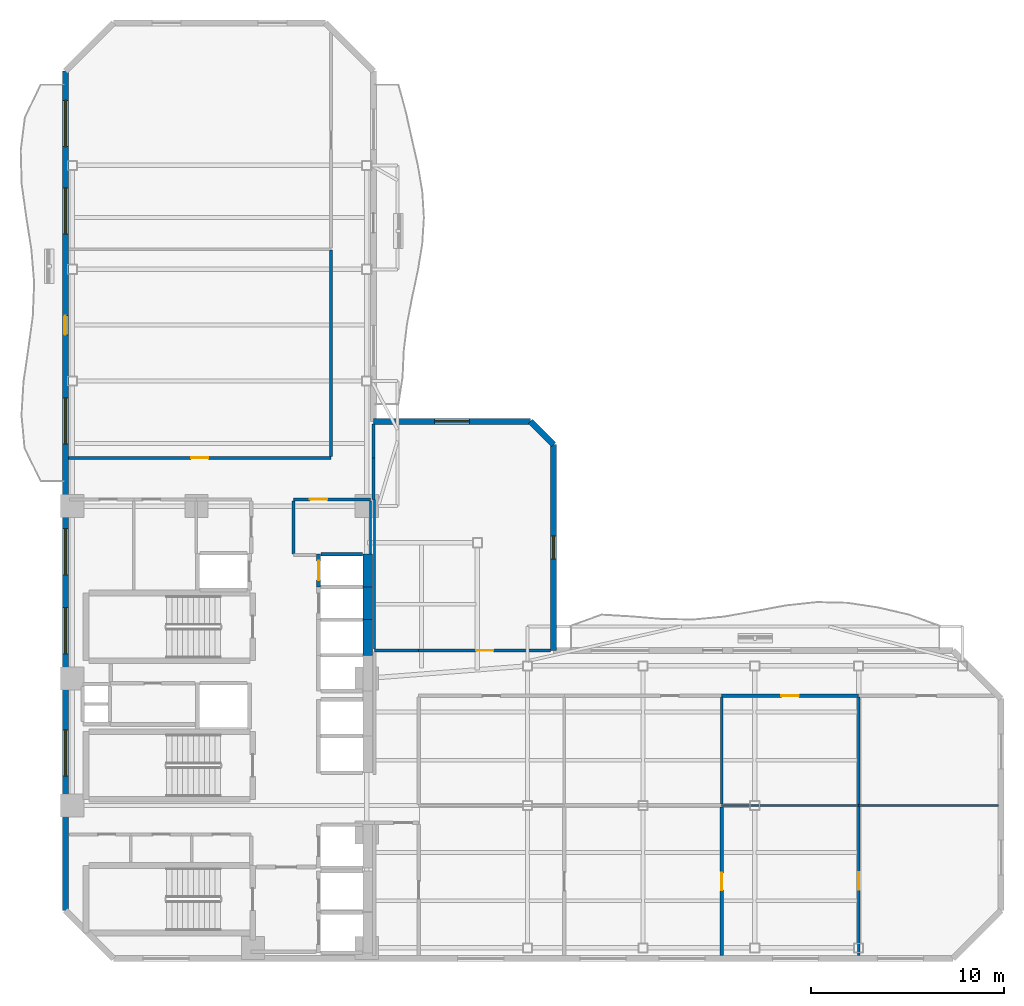
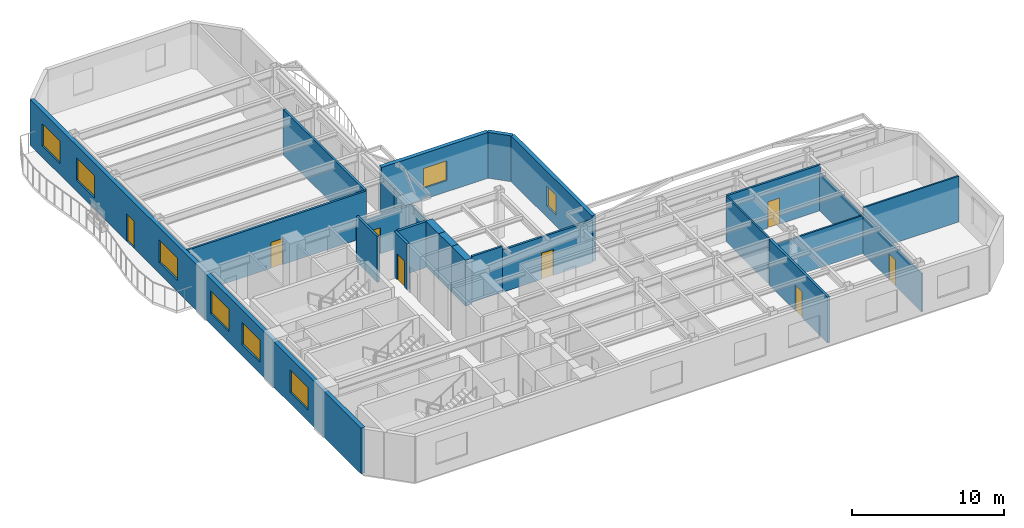
# One storey, part 5 of 9: 26 walls, 8 doors, 8 windows, 16 openings.
"""IFC4 building model written with IfcOpenShell, lengths in metres."""

from ifc_helpers import new_model, si_unit, direction, frame, frame_2d, origin, place, context, subcontext, project, spatial, rectangle, extrude, material, layer, layer_set, type_object, element, fill, save


model = new_model("IFC4")

# Units and contexts
model_context = context("Model", 3, precision=1e-05, world=origin(), true_north=direction((0.0, 1.0)))
body_context = subcontext(model_context, "Body", "Model", "MODEL_VIEW")
ifc_project = project(units=[si_unit("LENGTHUNIT", "METRE"), si_unit("AREAUNIT", "SQUARE_METRE"), si_unit("VOLUMEUNIT", "CUBIC_METRE"), si_unit("PLANEANGLEUNIT", "RADIAN"), si_unit("MASSUNIT", "GRAM", prefix="KILO")], contexts=[model_context])

# Site, building, storey
site_placement = place(None, origin())
site = spatial("IfcSite", under=ifc_project, at=site_placement, CompositionType="ELEMENT")
building_placement = place(site_placement, origin())
building = spatial("IfcBuilding", under=site, at=building_placement, Name="Mawjaban Terraces University", CompositionType="ELEMENT")
storey_placement = place(building_placement, frame((0.0, 0.0, 130.699951171875)))
storey = spatial("IfcBuildingStorey", under=building, at=storey_placement, Name="L31", CompositionType="ELEMENT", Elevation=130.699951171875)

# Wall, opening, door
ifc_material_1 = material(Name="Acoustic masonry blockwork", Category="masonry")
ifc_layer_1 = layer(ifc_material_1, 0.179931640625)
ifc_layer_set_1 = layer_set([ifc_layer_1], Name="Acoustic masonry blockwork")
wall_type_1 = type_object("IfcWallType", Name="AcousticStudioWall_180", PredefinedType="PARTITIONING", material=ifc_layer_set_1)
wall_1_placement = place(storey_placement, frame((56.080078125, 0.14501953125, 0.0), z_axis=(0.0, 0.0, 1.0), x_axis=(0.0, 1.0, 0.0)))
wall_1 = element("IfcWall", 1, at=wall_1_placement, inside=storey, type_object=wall_type_1, Name="L31 Media Workshop 4 Partition 46", PredefinedType="PARTITIONING", context=body_context, shape_type="SweptSolid", body=[
    extrude(rectangle(XDim=7.719970703125, YDim=0.179931640625, at=frame_2d((3.85986328125, 0.0))), origin(), (0.0, 0.0, 1.0), 3.68994140625),
])
opening_1_placement = place(wall_1_placement, frame((3.409912109375, 0.0, 0.0)))
opening_1 = element("IfcOpeningElement", 2, at=opening_1_placement, cuts=wall_1, Name="Opening ID-090", PredefinedType="OPENING", context=body_context, shape_type="SweptSolid", body=[
    extrude(rectangle(XDim=0.89990234375, YDim=2.10009765625, at=frame_2d((0.449951171875, 1.050048828125))), frame((0.0, 0.099853515625, 0.0), z_axis=(0.0, -1.0, 0.0), x_axis=(1.0, 0.0, 0.0)), (0.0, 0.0, 1.0), 0.199951171875),
])
ifc_material_2 = material(Name="Powder-coated steel frame and solid acoustic timber leaf", Category="steel")
door_type_1 = type_object("IfcDoorType", Name="OfficeDoor_900x2100", OperationType="NOTDEFINED", PredefinedType="DOOR", material=ifc_material_2)
door_1_placement = place(opening_1_placement, origin())
door_1 = element("IfcDoor", 3, at=door_1_placement, inside=storey, type_object=door_type_1, Name="L31 Reading Salon 6 Door", OperationType="SINGLE_SWING_RIGHT", OverallHeight=2.10009765625, OverallWidth=0.89990234375, PredefinedType="DOOR", context=body_context, shape_type="SweptSolid", body=[
    extrude(rectangle(XDim=0.89990234375, YDim=2.10009765625, at=frame_2d((0.449951171875, 1.050048828125))), frame((0.0, 0.02490234375, 0.0), z_axis=(0.0, -1.0, 0.0), x_axis=(1.0, 0.0, 0.0)), (0.0, 0.0, 1.0), 0.050048828125),
])
fill(opening_1, door_1)

# Walls
ifc_material_3 = material(Name="Concrete C60/75", Category="concrete")
ifc_layer_2 = layer(ifc_material_3, 0.5)
ifc_layer_set_2 = layer_set([ifc_layer_2], Name="Concrete C60/75")
wall_type_2 = type_object("IfcWallType", Name="CoreShearWall_500", PredefinedType="SHEAR", material=ifc_layer_set_2)
wall_2_placement = place(storey_placement, frame((37.699951171875, 15.75, 0.0), z_axis=(0.0, 0.0, 1.0), x_axis=(0.0, 1.0, 0.0)))
element("IfcWall", 4, at=wall_2_placement, inside=storey, type_object=wall_type_2, Name="L31 Lift OL-2 Hoistway Wall East", PredefinedType="SHEAR", context=body_context, shape_type="SweptSolid", body=[
    extrude(rectangle(XDim=1.85009765625, YDim=0.5, at=frame_2d((0.925048828125, 0.0))), origin(), (0.0, 0.0, 1.0), 3.68994140625),
])
for number, where, z_axis, x_axis, name in (
    (5, (37.699951171875, 17.60009765625, 0.0), (0.0, 0.0, 1.0), (0.0, 1.0, 0.0), "L31 Lift PL-M1 Hoistway Wall East"),
    (6, (37.699951171875, 19.300048828125, 0.0), (0.0, 0.0, 1.0), (0.0, 1.0, 0.0), "L31 Lift PL-M2 Hoistway Wall East"),
):
    element("IfcWall", number, at=place(storey_placement, frame(where, z_axis=z_axis, x_axis=x_axis)), inside=storey, type_object=wall_type_2, Name=name, PredefinedType="SHEAR", context=body_context, shape_type="SweptSolid", body=[
        extrude(rectangle(XDim=1.699951171875, YDim=0.5, at=frame_2d((0.85009765625, 0.0))), origin(), (0.0, 0.0, 1.0), 3.68994140625),
    ])

# Wall, opening, door
ifc_material_4 = material(Name="Fire-rated gypsum board on steel stud", Category="steel")
ifc_layer_3 = layer(ifc_material_4, 0.159912109375)
ifc_layer_set_3 = layer_set([ifc_layer_3], Name="Fire-rated gypsum board on steel stud")
wall_type_3 = type_object("IfcWallType", Name="CorridorPartition_160", PredefinedType="PARTITIONING", material=ifc_layer_set_3)
wall_3_placement = place(storey_placement, frame((35.800048828125, 26.0, 0.0), z_axis=(0.0, 0.0, 1.0), x_axis=(-1.0, 0.0, 0.0)))
wall_3 = element("IfcWall", 7, at=wall_3_placement, inside=storey, type_object=wall_type_3, Name="L31 North Core Cross-Corridor Partition 12", PredefinedType="PARTITIONING", context=body_context, shape_type="SweptSolid", body=[
    extrude(rectangle(XDim=13.655029296875, YDim=0.159912109375, at=frame_2d((6.82763671875, 0.0))), origin(), (0.0, 0.0, 1.0), 3.68994140625),
])
opening_2_placement = place(wall_3_placement, frame((6.376953125, 0.0, 0.0)))
opening_2 = element("IfcOpeningElement", 8, at=opening_2_placement, cuts=wall_3, Name="Opening ID-090", PredefinedType="OPENING", context=body_context, shape_type="SweptSolid", body=[
    extrude(rectangle(XDim=0.89990234375, YDim=2.10009765625, at=frame_2d((0.449951171875, 1.050048828125))), frame((0.0, 0.08984375, 0.0), z_axis=(0.0, -1.0, 0.0), x_axis=(1.0, 0.0, 0.0)), (0.0, 0.0, 1.0), 0.179931640625),
])
door_2_placement = place(opening_2_placement, origin())
door_2 = element("IfcDoor", 9, at=door_2_placement, inside=storey, type_object=door_type_1, Name="L31 Seminar Room 10 Door", OperationType="SINGLE_SWING_RIGHT", OverallHeight=2.10009765625, OverallWidth=0.89990234375, PredefinedType="DOOR", context=body_context, shape_type="SweptSolid", body=[
    extrude(rectangle(XDim=0.89990234375, YDim=2.10009765625, at=frame_2d((0.449951171875, 1.050048828125))), frame((0.0, 0.02490234375, 0.0), z_axis=(0.0, -1.0, 0.0), x_axis=(1.0, 0.0, 0.0)), (0.0, 0.0, 1.0), 0.050048828125),
])
fill(opening_2, door_2)

wall_4_placement = place(storey_placement, frame((37.85009765625, 23.85009765625, 0.0), z_axis=(0.0, 0.0, 1.0), x_axis=(-1.0, 0.0, 0.0)))
wall_4 = element("IfcWall", 10, at=wall_4_placement, inside=storey, type_object=wall_type_3, Name="L31 Departmental Resource Seminar Room Partition 14", PredefinedType="PARTITIONING", context=body_context, shape_type="SweptSolid", body=[
    extrude(rectangle(XDim=4.0, YDim=0.159912109375, at=frame_2d((2.0, 0.0))), origin(), (0.0, 0.0, 1.0), 3.072998046875),
])
opening_3_placement = place(wall_4_placement, frame((2.25, 0.0, 0.0)))
opening_3 = element("IfcOpeningElement", 11, at=opening_3_placement, cuts=wall_4, Name="Opening ID-090", PredefinedType="OPENING", context=body_context, shape_type="SweptSolid", body=[
    extrude(rectangle(XDim=0.89990234375, YDim=2.10009765625, at=frame_2d((0.449951171875, 1.050048828125))), frame((0.0, 0.08984375, 0.0), z_axis=(0.0, -1.0, 0.0), x_axis=(1.0, 0.0, 0.0)), (0.0, 0.0, 1.0), 0.179931640625),
])
door_3_placement = place(opening_3_placement, origin())
door_3 = element("IfcDoor", 12, at=door_3_placement, inside=storey, type_object=door_type_1, Name="L31 Departmental Resource Seminar Room Door", OperationType="SINGLE_SWING_LEFT", OverallHeight=2.10009765625, OverallWidth=0.89990234375, PredefinedType="DOOR", context=body_context, shape_type="SweptSolid", body=[
    extrude(rectangle(XDim=0.89990234375, YDim=2.10009765625, at=frame_2d((0.449951171875, 1.050048828125))), frame((0.0, 0.02490234375, 0.0), z_axis=(0.0, -1.0, 0.0), x_axis=(1.0, 0.0, 0.0)), (0.0, 0.0, 1.0), 0.050048828125),
])
fill(opening_3, door_3)

# Wall
wall_5_placement = place(storey_placement, frame((40.35009765625, 16.0, 0.0), z_axis=(0.0, 0.0, 1.0), x_axis=(-1.0, 0.0, 0.0)))
element("IfcWall", 13, at=wall_5_placement, inside=storey, type_object=wall_type_3, Name="L31 Inner Gallery Link Corridor Partition 17", PredefinedType="PARTITIONING", context=body_context, shape_type="SweptSolid", body=[
    extrude(rectangle(XDim=2.300048828125, YDim=0.159912109375, at=frame_2d((1.14990234375, 0.0))), origin(), (0.0, 0.0, 1.0), 3.68994140625),
])

# Wall, opening, door
wall_6_placement = place(storey_placement, frame((40.35009765625, 16.0, 0.0), z_axis=(0.0, 0.0, 1.0), x_axis=(1.0, 0.0, 0.0)))
wall_6 = element("IfcWall", 14, at=wall_6_placement, inside=storey, type_object=wall_type_3, Name="L31 Terrace Collaborative Study Room Partition 18", PredefinedType="PARTITIONING", context=body_context, shape_type="SweptSolid", body=[
    extrude(rectangle(XDim=6.85595703125, YDim=0.159912109375, at=frame_2d((3.427978515625, 0.0))), origin(), (0.0, 0.0, 1.0), 3.39013671875),
])
opening_4_placement = place(wall_6_placement, frame((2.97802734375, 0.0, 0.0)))
opening_4 = element("IfcOpeningElement", 15, at=opening_4_placement, cuts=wall_6, Name="Opening ID-090", PredefinedType="OPENING", context=body_context, shape_type="SweptSolid", body=[
    extrude(rectangle(XDim=0.89990234375, YDim=2.10009765625, at=frame_2d((0.449951171875, 1.050048828125))), frame((0.0, 0.08984375, 0.0), z_axis=(0.0, -1.0, 0.0), x_axis=(1.0, 0.0, 0.0)), (0.0, 0.0, 1.0), 0.179931640625),
])
door_4_placement = place(opening_4_placement, origin())
door_4 = element("IfcDoor", 16, at=door_4_placement, inside=storey, type_object=door_type_1, Name="L31 Terrace Collaborative Study Room Door", OperationType="SINGLE_SWING_RIGHT", OverallHeight=2.10009765625, OverallWidth=0.89990234375, PredefinedType="DOOR", context=body_context, shape_type="SweptSolid", body=[
    extrude(rectangle(XDim=0.89990234375, YDim=2.10009765625, at=frame_2d((0.449951171875, 1.050048828125))), frame((0.0, 0.02490234375, 0.0), z_axis=(0.0, -1.0, 0.0), x_axis=(1.0, 0.0, 0.0)), (0.0, 0.0, 1.0), 0.050048828125),
])
fill(opening_4, door_4)

wall_7_placement = place(storey_placement, frame((56.080078125, 13.64990234375, 0.0), z_axis=(0.0, 0.0, 1.0), x_axis=(1.0, 0.0, 0.0)))
wall_7 = element("IfcWall", 17, at=wall_7_placement, inside=storey, type_object=wall_type_3, Name="L31 Inner Terrace Gallery Corridor East Partition 22", PredefinedType="PARTITIONING", context=body_context, shape_type="SweptSolid", body=[
    extrude(rectangle(XDim=7.119873046875, YDim=0.159912109375, at=frame_2d((3.56005859375, 0.0))), origin(), (0.0, 0.0, 1.0), 3.68994140625),
])
opening_5_placement = place(wall_7_placement, frame((3.110107421875, 0.0, 0.0)))
opening_5 = element("IfcOpeningElement", 18, at=opening_5_placement, cuts=wall_7, Name="Opening ID-090", PredefinedType="OPENING", context=body_context, shape_type="SweptSolid", body=[
    extrude(rectangle(XDim=0.89990234375, YDim=2.10009765625, at=frame_2d((0.449951171875, 1.050048828125))), frame((0.0, 0.08984375, 0.0), z_axis=(0.0, -1.0, 0.0), x_axis=(1.0, 0.0, 0.0)), (0.0, 0.0, 1.0), 0.179931640625),
])
door_5_placement = place(opening_5_placement, origin())
door_5 = element("IfcDoor", 19, at=door_5_placement, inside=storey, type_object=door_type_1, Name="L31 Academic Counseling Room 7 Door", OperationType="SINGLE_SWING_LEFT", OverallHeight=2.10009765625, OverallWidth=0.89990234375, PredefinedType="DOOR", context=body_context, shape_type="SweptSolid", body=[
    extrude(rectangle(XDim=0.89990234375, YDim=2.10009765625, at=frame_2d((0.449951171875, 1.050048828125))), frame((0.0, 0.02490234375, 0.0), z_axis=(0.0, -1.0, 0.0), x_axis=(1.0, 0.0, 0.0)), (0.0, 0.0, 1.0), 0.050048828125),
])
fill(opening_5, door_5)

# Walls
wall_8_placement = place(storey_placement, frame((33.85009765625, 21.02490234375, 0.0), z_axis=(0.0, 0.0, 1.0), x_axis=(0.0, 1.0, 0.0)))
element("IfcWall", 20, at=wall_8_placement, inside=storey, type_object=wall_type_3, Name="L31 Core North Lift Lobby Partition 33", PredefinedType="PARTITIONING", context=body_context, shape_type="SweptSolid", body=[
    extrude(rectangle(XDim=2.75, YDim=0.159912109375, at=frame_2d((1.375, 0.0))), origin(), (0.0, 0.0, 1.0), 3.68994140625),
])
wall_9_placement = place(storey_placement, frame((35.800048828125, 36.79296875, 0.0), z_axis=(0.0, 0.0, 1.0), x_axis=(0.0, -1.0, 0.0)))
element("IfcWall", 21, at=wall_9_placement, inside=storey, type_object=wall_type_3, Name="L31 Inner Terrace Gallery Corridor North Partition 34", PredefinedType="PARTITIONING", context=body_context, shape_type="SweptSolid", body=[
    extrude(rectangle(XDim=10.718017578125, YDim=0.159912109375, at=frame_2d((5.35888671875, 0.0))), origin(), (0.0, 0.0, 1.0), 3.68994140625),
])
wall_10_placement = place(storey_placement, frame((38.0, 23.85009765625, 0.0), z_axis=(0.0, 0.0, 1.0), x_axis=(0.0, 1.0, 0.0)))
element("IfcWall", 22, at=wall_10_placement, inside=storey, type_object=wall_type_3, Name="L31 North Core Cross-Corridor Partition 37", PredefinedType="PARTITIONING", context=body_context, shape_type="SweptSolid", body=[
    extrude(rectangle(XDim=2.14990234375, YDim=0.159912109375, at=frame_2d((1.074951171875, 0.0))), origin(), (0.0, 0.0, 1.0), 3.072998046875),
])
wall_11_placement = place(storey_placement, frame((38.0, 26.0, 0.0), z_axis=(0.0, 0.0, 1.0), x_axis=(0.0, 1.0, 0.0)))
element("IfcWall", 23, at=wall_11_placement, inside=storey, type_object=wall_type_3, Name="L31 Inner Terrace Gallery Corridor North Partition 38", PredefinedType="PARTITIONING", context=body_context, shape_type="SweptSolid", body=[
    extrude(rectangle(XDim=1.7548828125, YDim=0.159912109375, at=frame_2d((0.87744140625, 0.0))), origin(), (0.0, 0.0, 1.0), 3.072998046875),
])

# Wall, opening, window
ifc_material_5 = material(Name="Insulated terracotta rainscreen on concrete backup C40/50", Category="masonry")
ifc_layer_4 = layer(ifc_material_5, 0.300048828125)
ifc_layer_set_4 = layer_set([ifc_layer_4], Name="Insulated terracotta rainscreen on concrete backup C40/50")
wall_type_4 = type_object("IfcWallType", Name="ExtTerracottaWall_300", PredefinedType="SOLIDWALL", material=ifc_layer_set_4)
wall_12_placement = place(storey_placement, frame((47.35107421875, 16.0, 0.0), z_axis=(0.0, 0.0, 1.0), x_axis=(0.0, 1.0, 0.0)))
wall_12 = element("IfcWall", 24, at=wall_12_placement, inside=storey, type_object=wall_type_4, Name="L31 Exterior Terracotta Wall 6", PredefinedType="SOLIDWALL", context=body_context, shape_type="SweptSolid", body=[
    extrude(rectangle(XDim=10.699951171875, YDim=0.300048828125, at=frame_2d((5.35009765625, 0.0))), origin(), (0.0, 0.0, 1.0), 3.68994140625),
])
opening_6_placement = place(wall_12_placement, frame((4.75, 0.0, 0.89990234375)))
opening_6 = element("IfcOpeningElement", 25, at=opening_6_placement, cuts=wall_12, Name="Opening W-01", PredefinedType="OPENING", context=body_context, shape_type="SweptSolid", body=[
    extrude(rectangle(XDim=1.199951171875, YDim=1.60009765625, at=frame_2d((0.60009765625, 0.800048828125))), frame((0.0, 0.159912109375, 0.0), z_axis=(0.0, -1.0, 0.0), x_axis=(1.0, 0.0, 0.0)), (0.0, 0.0, 1.0), 0.320068359375),
])
ifc_material_6 = material(Name="Low-E solar-control double glazing in thermally broken aluminium frame", Category="aluminium")
window_type_1 = type_object("IfcWindowType", Name="Win_1200x1600", PartitioningType="SINGLE_PANEL", PredefinedType="WINDOW", material=ifc_material_6)
window_1_placement = place(opening_6_placement, origin())
window_1 = element("IfcWindow", 26, at=window_1_placement, inside=storey, type_object=window_type_1, Name="L31 Facade Window 6.1", OverallHeight=1.60009765625, OverallWidth=1.199951171875, PartitioningType="SINGLE_PANEL", PredefinedType="WINDOW", context=body_context, shape_type="SweptSolid", body=[
    extrude(rectangle(XDim=1.199951171875, YDim=1.60009765625, at=frame_2d((0.60009765625, 0.800048828125))), frame((0.0, 0.030029296875, 0.0), z_axis=(0.0, -1.0, 0.0), x_axis=(1.0, 0.0, 0.0)), (0.0, 0.0, 1.0), 0.06005859375),
])
fill(opening_6, window_1)

# Wall
wall_13_placement = place(storey_placement, frame((47.35107421875, 26.699951171875, 0.0), z_axis=(0.0, 0.0, 1.0), x_axis=(-0.707178703759, 0.707034851297, 0.0)))
element("IfcWall", 27, at=wall_13_placement, inside=storey, type_object=wall_type_4, Name="L31 Exterior Terracotta Wall 7", PredefinedType="SOLIDWALL", context=body_context, shape_type="SweptSolid", body=[
    extrude(rectangle(XDim=1.697265625, YDim=0.300048828125, at=frame_2d((0.8486328125, 0.0))), origin(), (0.0, 0.0, 1.0), 3.68994140625),
])

# Wall, opening, window
wall_14_placement = place(storey_placement, frame((46.15087890625, 27.89990234375, 0.0), z_axis=(0.0, 0.0, 1.0), x_axis=(-1.0, 0.0, 0.0)))
wall_14 = element("IfcWall", 28, at=wall_14_placement, inside=storey, type_object=wall_type_4, Name="L31 Exterior Terracotta Wall 8", PredefinedType="SOLIDWALL", context=body_context, shape_type="SweptSolid", body=[
    extrude(rectangle(XDim=8.15087890625, YDim=0.300048828125, at=frame_2d((4.075439453125, 0.0))), origin(), (0.0, 0.0, 1.0), 3.68994140625),
])
opening_7_placement = place(wall_14_placement, frame((3.176025390625, 0.0, 0.89990234375)))
opening_7 = element("IfcOpeningElement", 29, at=opening_7_placement, cuts=wall_14, Name="Opening W-03", PredefinedType="OPENING", context=body_context, shape_type="SweptSolid", body=[
    extrude(rectangle(XDim=1.800048828125, YDim=1.60009765625, at=frame_2d((0.89990234375, 0.800048828125))), frame((0.0, 0.159912109375, 0.0), z_axis=(0.0, -1.0, 0.0), x_axis=(1.0, 0.0, 0.0)), (0.0, 0.0, 1.0), 0.320068359375),
])
window_type_2 = type_object("IfcWindowType", Name="Win_1800x1600", PartitioningType="SINGLE_PANEL", PredefinedType="WINDOW", material=ifc_material_6)
window_2_placement = place(opening_7_placement, origin())
window_2 = element("IfcWindow", 30, at=window_2_placement, inside=storey, type_object=window_type_2, Name="L31 Facade Window 8.1", OverallHeight=1.60009765625, OverallWidth=1.800048828125, PartitioningType="SINGLE_PANEL", PredefinedType="WINDOW", context=body_context, shape_type="SweptSolid", body=[
    extrude(rectangle(XDim=1.800048828125, YDim=1.60009765625, at=frame_2d((0.89990234375, 0.800048828125))), frame((0.0, 0.030029296875, 0.0), z_axis=(0.0, -1.0, 0.0), x_axis=(1.0, 0.0, 0.0)), (0.0, 0.0, 1.0), 0.06005859375),
])
fill(opening_7, window_2)

# Wall, openings, door, windows
wall_15_placement = place(storey_placement, frame((22.0, 46.10009765625, 0.0), z_axis=(0.0, 0.0, 1.0), x_axis=(0.0, -1.0, 0.0)))
wall_15 = element("IfcWall", 31, at=wall_15_placement, inside=storey, type_object=wall_type_4, Name="L31 Exterior Terracotta Wall 13", PredefinedType="SOLIDWALL", context=body_context, shape_type="SweptSolid", body=[
    extrude(rectangle(XDim=43.60009765625, YDim=0.300048828125, at=frame_2d((21.800048828125, 0.0))), origin(), (0.0, 0.0, 1.0), 3.68994140625),
])
opening_8_placement = place(wall_15_placement, frame((12.699951171875, 0.0, 0.0)))
opening_8 = element("IfcOpeningElement", 32, at=opening_8_placement, cuts=wall_15, Name="Opening BD-100", PredefinedType="OPENING", context=body_context, shape_type="SweptSolid", body=[
    extrude(rectangle(XDim=1.0, YDim=2.199951171875, at=frame_2d((0.5, 1.10009765625))), frame((0.0, 0.159912109375, 0.0), z_axis=(0.0, -1.0, 0.0), x_axis=(1.0, 0.0, 0.0)), (0.0, 0.0, 1.0), 0.320068359375),
])
opening_9_placement = place(wall_15_placement, frame((1.52490234375, 0.0, 0.89990234375)))
opening_9 = element("IfcOpeningElement", 33, at=opening_9_placement, cuts=wall_15, Name="Opening W-08", PredefinedType="OPENING", context=body_context, shape_type="SweptSolid", body=[
    extrude(rectangle(XDim=2.39990234375, YDim=1.800048828125, at=frame_2d((1.199951171875, 0.89990234375))), frame((0.0, 0.159912109375, 0.0), z_axis=(0.0, -1.0, 0.0), x_axis=(1.0, 0.0, 0.0)), (0.0, 0.0, 1.0), 0.320068359375),
])
opening_10_placement = place(wall_15_placement, frame((6.074951171875, 0.0, 0.89990234375)))
opening_10 = element("IfcOpeningElement", 34, at=opening_10_placement, cuts=wall_15, Name="Opening W-08", PredefinedType="OPENING", context=body_context, shape_type="SweptSolid", body=[
    extrude(rectangle(XDim=2.39990234375, YDim=1.800048828125, at=frame_2d((1.199951171875, 0.89990234375))), frame((0.0, 0.159912109375, 0.0), z_axis=(0.0, -1.0, 0.0), x_axis=(1.0, 0.0, 0.0)), (0.0, 0.0, 1.0), 0.320068359375),
])
opening_11_placement = place(wall_15_placement, frame((16.97509765625, 0.0, 0.89990234375)))
opening_11 = element("IfcOpeningElement", 35, at=opening_11_placement, cuts=wall_15, Name="Opening W-08", PredefinedType="OPENING", context=body_context, shape_type="SweptSolid", body=[
    extrude(rectangle(XDim=2.39990234375, YDim=1.800048828125, at=frame_2d((1.199951171875, 0.89990234375))), frame((0.0, 0.159912109375, 0.0), z_axis=(0.0, -1.0, 0.0), x_axis=(1.0, 0.0, 0.0)), (0.0, 0.0, 1.0), 0.320068359375),
])
opening_12_placement = place(wall_15_placement, frame((23.77490234375, 0.0, 0.89990234375)))
opening_12 = element("IfcOpeningElement", 36, at=opening_12_placement, cuts=wall_15, Name="Opening W-08", PredefinedType="OPENING", context=body_context, shape_type="SweptSolid", body=[
    extrude(rectangle(XDim=2.39990234375, YDim=1.800048828125, at=frame_2d((1.199951171875, 0.89990234375))), frame((0.0, 0.159912109375, 0.0), z_axis=(0.0, -1.0, 0.0), x_axis=(1.0, 0.0, 0.0)), (0.0, 0.0, 1.0), 0.320068359375),
])
opening_13_placement = place(wall_15_placement, frame((27.875, 0.0, 0.89990234375)))
opening_13 = element("IfcOpeningElement", 37, at=opening_13_placement, cuts=wall_15, Name="Opening W-08", PredefinedType="OPENING", context=body_context, shape_type="SweptSolid", body=[
    extrude(rectangle(XDim=2.39990234375, YDim=1.800048828125, at=frame_2d((1.199951171875, 0.89990234375))), frame((0.0, 0.159912109375, 0.0), z_axis=(0.0, -1.0, 0.0), x_axis=(1.0, 0.0, 0.0)), (0.0, 0.0, 1.0), 0.320068359375),
])
opening_14_placement = place(wall_15_placement, frame((34.22509765625, 0.0, 0.89990234375)))
opening_14 = element("IfcOpeningElement", 38, at=opening_14_placement, cuts=wall_15, Name="Opening W-08", PredefinedType="OPENING", context=body_context, shape_type="SweptSolid", body=[
    extrude(rectangle(XDim=2.39990234375, YDim=1.800048828125, at=frame_2d((1.199951171875, 0.89990234375))), frame((0.0, 0.159912109375, 0.0), z_axis=(0.0, -1.0, 0.0), x_axis=(1.0, 0.0, 0.0)), (0.0, 0.0, 1.0), 0.320068359375),
])
ifc_material_7 = material(Name="Thermally broken anodised aluminium and laminated safety glass", Category="aluminium")
door_type_2 = type_object("IfcDoorType", Name="BalconyGlazedDoor_1000x2200", OperationType="NOTDEFINED", PredefinedType="DOOR", material=ifc_material_7)
door_6_placement = place(opening_8_placement, origin())
door_6 = element("IfcDoor", 39, at=door_6_placement, inside=storey, type_object=door_type_2, Name="L31 Balcony Access Door west", OperationType="SINGLE_SWING_RIGHT", OverallHeight=2.199951171875, OverallWidth=1.0, PredefinedType="DOOR", context=body_context, shape_type="SweptSolid", body=[
    extrude(rectangle(XDim=1.0, YDim=2.199951171875, at=frame_2d((0.5, 1.10009765625))), frame((0.0, 0.02490234375, 0.0), z_axis=(0.0, -1.0, 0.0), x_axis=(1.0, 0.0, 0.0)), (0.0, 0.0, 1.0), 0.050048828125),
])
fill(opening_8, door_6)
window_type_3 = type_object("IfcWindowType", Name="Win_2400x1800", PartitioningType="SINGLE_PANEL", PredefinedType="WINDOW", material=ifc_material_6)
window_3_placement = place(opening_9_placement, origin())
window_3 = element("IfcWindow", 40, at=window_3_placement, inside=storey, type_object=window_type_3, Name="L31 Facade Window 13.1", OverallHeight=1.800048828125, OverallWidth=2.39990234375, PartitioningType="SINGLE_PANEL", PredefinedType="WINDOW", context=body_context, shape_type="SweptSolid", body=[
    extrude(rectangle(XDim=2.39990234375, YDim=1.800048828125, at=frame_2d((1.199951171875, 0.89990234375))), frame((0.0, 0.030029296875, 0.0), z_axis=(0.0, -1.0, 0.0), x_axis=(1.0, 0.0, 0.0)), (0.0, 0.0, 1.0), 0.06005859375),
])
fill(opening_9, window_3)
window_4_placement = place(opening_10_placement, origin())
window_4 = element("IfcWindow", 41, at=window_4_placement, inside=storey, type_object=window_type_3, Name="L31 Facade Window 13.2", OverallHeight=1.800048828125, OverallWidth=2.39990234375, PartitioningType="SINGLE_PANEL", PredefinedType="WINDOW", context=body_context, shape_type="SweptSolid", body=[
    extrude(rectangle(XDim=2.39990234375, YDim=1.800048828125, at=frame_2d((1.199951171875, 0.89990234375))), frame((0.0, 0.030029296875, 0.0), z_axis=(0.0, -1.0, 0.0), x_axis=(1.0, 0.0, 0.0)), (0.0, 0.0, 1.0), 0.06005859375),
])
fill(opening_10, window_4)
window_5_placement = place(opening_11_placement, origin())
window_5 = element("IfcWindow", 42, at=window_5_placement, inside=storey, type_object=window_type_3, Name="L31 Facade Window 13.4", OverallHeight=1.800048828125, OverallWidth=2.39990234375, PartitioningType="SINGLE_PANEL", PredefinedType="WINDOW", context=body_context, shape_type="SweptSolid", body=[
    extrude(rectangle(XDim=2.39990234375, YDim=1.800048828125, at=frame_2d((1.199951171875, 0.89990234375))), frame((0.0, 0.030029296875, 0.0), z_axis=(0.0, -1.0, 0.0), x_axis=(1.0, 0.0, 0.0)), (0.0, 0.0, 1.0), 0.06005859375),
])
fill(opening_11, window_5)
window_6_placement = place(opening_12_placement, origin())
window_6 = element("IfcWindow", 43, at=window_6_placement, inside=storey, type_object=window_type_3, Name="L31 Facade Window 13.5", OverallHeight=1.800048828125, OverallWidth=2.39990234375, PartitioningType="SINGLE_PANEL", PredefinedType="WINDOW", context=body_context, shape_type="SweptSolid", body=[
    extrude(rectangle(XDim=2.39990234375, YDim=1.800048828125, at=frame_2d((1.199951171875, 0.89990234375))), frame((0.0, 0.030029296875, 0.0), z_axis=(0.0, -1.0, 0.0), x_axis=(1.0, 0.0, 0.0)), (0.0, 0.0, 1.0), 0.06005859375),
])
fill(opening_12, window_6)
window_7_placement = place(opening_13_placement, origin())
window_7 = element("IfcWindow", 44, at=window_7_placement, inside=storey, type_object=window_type_3, Name="L31 Facade Window 13.6", OverallHeight=1.800048828125, OverallWidth=2.39990234375, PartitioningType="SINGLE_PANEL", PredefinedType="WINDOW", context=body_context, shape_type="SweptSolid", body=[
    extrude(rectangle(XDim=2.39990234375, YDim=1.800048828125, at=frame_2d((1.199951171875, 0.89990234375))), frame((0.0, 0.030029296875, 0.0), z_axis=(0.0, -1.0, 0.0), x_axis=(1.0, 0.0, 0.0)), (0.0, 0.0, 1.0), 0.06005859375),
])
fill(opening_13, window_7)
window_8_placement = place(opening_14_placement, origin())
window_8 = element("IfcWindow", 45, at=window_8_placement, inside=storey, type_object=window_type_3, Name="L31 Facade Window 13.7", OverallHeight=1.800048828125, OverallWidth=2.39990234375, PartitioningType="SINGLE_PANEL", PredefinedType="WINDOW", context=body_context, shape_type="SweptSolid", body=[
    extrude(rectangle(XDim=2.39990234375, YDim=1.800048828125, at=frame_2d((1.199951171875, 0.89990234375))), frame((0.0, 0.030029296875, 0.0), z_axis=(0.0, -1.0, 0.0), x_axis=(1.0, 0.0, 0.0)), (0.0, 0.0, 1.0), 0.06005859375),
])
fill(opening_14, window_8)

# Wall, opening, door
ifc_material_8 = material(Name="Concrete C40/50", Category="concrete")
ifc_layer_5 = layer(ifc_material_8, 0.199951171875)
ifc_layer_set_5 = layer_set([ifc_layer_5], Name="Concrete C40/50")
wall_type_5 = type_object("IfcWallType", Name="FireLobbyWall_200", PredefinedType="SOLIDWALL", material=ifc_layer_set_5)
wall_16_placement = place(storey_placement, frame((35.14990234375, 21.0, 0.0), z_axis=(0.0, 0.0, 1.0), x_axis=(0.0, -1.0, 0.0)))
wall_16 = element("IfcWall", 46, at=wall_16_placement, inside=storey, type_object=wall_type_5, Name="L31 Lift PL-M2 Hoistway Wall West", PredefinedType="SOLIDWALL", context=body_context, shape_type="SweptSolid", body=[
    extrude(rectangle(XDim=1.699951171875, YDim=0.199951171875, at=frame_2d((0.85009765625, 0.0))), origin(), (0.0, 0.0, 1.0), 3.68994140625),
])
opening_15_placement = place(wall_16_placement, frame((0.35009765625, 0.0, 0.0)))
opening_15 = element("IfcOpeningElement", 47, at=opening_15_placement, cuts=wall_16, Name="Opening LD-PL-M2", PredefinedType="OPENING", context=body_context, shape_type="SweptSolid", body=[
    extrude(rectangle(XDim=1.0, YDim=2.10009765625, at=frame_2d((0.5, 1.050048828125))), frame((0.0, 0.10986328125, 0.0), z_axis=(0.0, -1.0, 0.0), x_axis=(1.0, 0.0, 0.0)), (0.0, 0.0, 1.0), 0.219970703125),
])
ifc_material_9 = material(Name="Powder-coated steel frame and fire-rated steel-faced leaf", Category="steel")
door_type_3 = type_object("IfcDoorType", Name="LiftLandingSliding_1000x2100", OperationType="NOTDEFINED", PredefinedType="DOOR", material=ifc_material_9)
door_7_placement = place(opening_15_placement, origin())
door_7 = element("IfcDoor", 48, at=door_7_placement, inside=storey, type_object=door_type_3, Name="L31 Lift PL-M2 Sliding Landing Door", OperationType="DOUBLE_DOOR_SLIDING", OverallHeight=2.10009765625, OverallWidth=1.0, PredefinedType="DOOR", context=body_context, shape_type="SweptSolid", body=[
    extrude(rectangle(XDim=1.0, YDim=2.10009765625, at=frame_2d((0.5, 1.050048828125))), frame((0.0, 0.02490234375, 0.0), z_axis=(0.0, -1.0, 0.0), x_axis=(1.0, 0.0, 0.0)), (0.0, 0.0, 1.0), 0.050048828125),
])
fill(opening_15, door_7)

# Walls
wall_17_placement = place(storey_placement, frame((37.419921875, 21.0, 0.0), z_axis=(0.0, 0.0, 1.0), x_axis=(-1.0, 0.0, 0.0)))
element("IfcWall", 49, at=wall_17_placement, inside=storey, type_object=wall_type_5, Name="L31 Lift PL-M2 Hoistway Wall North", PredefinedType="SOLIDWALL", context=body_context, shape_type="SweptSolid", body=[
    extrude(rectangle(XDim=2.139892578125, YDim=0.199951171875, at=frame_2d((1.06982421875, 0.0))), origin(), (0.0, 0.0, 1.0), 3.68994140625),
])
ifc_material_10 = material(Name="Gypsum plasterboard on steel stud", Category="steel")
ifc_layer_6 = layer(ifc_material_10, 0.125)
ifc_layer_set_6 = layer_set([ifc_layer_6], Name="Gypsum plasterboard on steel stud")
wall_type_6 = type_object("IfcWallType", Name="OfficePartition_125", PredefinedType="PARTITIONING", material=ifc_layer_set_6)
wall_18_placement = place(storey_placement, frame((63.199951171875, 7.949951171875, 0.0), z_axis=(0.0, 0.0, 1.0), x_axis=(-1.0, 0.0, 0.0)))
element("IfcWall", 50, at=wall_18_placement, inside=storey, type_object=wall_type_6, Name="L31 Reading Salon 6 Partition 23", PredefinedType="PARTITIONING", context=body_context, shape_type="SweptSolid", body=[
    extrude(rectangle(XDim=7.119873046875, YDim=0.125, at=frame_2d((3.56005859375, 0.0))), origin(), (0.0, 0.0, 1.0), 3.072998046875),
])
wall_19_placement = place(storey_placement, frame((70.455078125, 7.949951171875, 0.0), z_axis=(0.0, 0.0, 1.0), x_axis=(-1.0, 0.0, 0.0)))
element("IfcWall", 51, at=wall_19_placement, inside=storey, type_object=wall_type_6, Name="L31 Academic Counseling Room 8 Partition 25", PredefinedType="PARTITIONING", context=body_context, shape_type="SweptSolid", body=[
    extrude(rectangle(XDim=7.255126953125, YDim=0.125, at=frame_2d((3.62744140625, 0.0))), origin(), (0.0, 0.0, 1.0), 3.68994140625),
])
wall_20_placement = place(storey_placement, frame((38.050048828125, 23.85009765625, 0.0), z_axis=(0.0, 0.0, 1.0), x_axis=(0.0, -1.0, 0.0)))
element("IfcWall", 52, at=wall_20_placement, inside=storey, type_object=wall_type_6, Name="L31 Terrace Collaborative Study Room Partition 41", PredefinedType="PARTITIONING", context=body_context, shape_type="SweptSolid", body=[
    extrude(rectangle(XDim=7.775146484375, YDim=0.125, at=frame_2d((3.8876953125, 0.0))), origin(), (0.0, 0.0, 1.0), 3.072998046875),
])
wall_21_placement = place(storey_placement, frame((56.080078125, 8.034912109375, 0.0), z_axis=(0.0, 0.0, 1.0), x_axis=(0.0, 1.0, 0.0)))
element("IfcWall", 53, at=wall_21_placement, inside=storey, type_object=wall_type_6, Name="L31 Quiet Reading Room 5 Partition 47", PredefinedType="PARTITIONING", context=body_context, shape_type="SweptSolid", body=[
    extrude(rectangle(XDim=5.5400390625, YDim=0.125, at=frame_2d((2.77001953125, 0.0))), origin(), (0.0, 0.0, 1.0), 3.68994140625),
])

# Wall, opening, door
wall_22_placement = place(storey_placement, frame((63.199951171875, 0.14501953125, 0.0), z_axis=(0.0, 0.0, 1.0), x_axis=(0.0, 1.0, 0.0)))
wall_22 = element("IfcWall", 54, at=wall_22_placement, inside=storey, type_object=wall_type_6, Name="L31 Reading Salon 6 Partition 48", PredefinedType="PARTITIONING", context=body_context, shape_type="SweptSolid", body=[
    extrude(rectangle(XDim=7.748046875, YDim=0.125, at=frame_2d((3.8740234375, 0.0))), origin(), (0.0, 0.0, 1.0), 3.072998046875),
])
opening_16_placement = place(wall_22_placement, frame((3.424072265625, 0.0, 0.0)))
opening_16 = element("IfcOpeningElement", 55, at=opening_16_placement, cuts=wall_22, Name="Opening ID-090", PredefinedType="OPENING", context=body_context, shape_type="SweptSolid", body=[
    extrude(rectangle(XDim=0.89990234375, YDim=2.10009765625, at=frame_2d((0.449951171875, 1.050048828125))), frame((0.0, 0.072509765625, 0.0), z_axis=(0.0, -1.0, 0.0), x_axis=(1.0, 0.0, 0.0)), (0.0, 0.0, 1.0), 0.14501953125),
])
door_8_placement = place(opening_16_placement, origin())
door_8 = element("IfcDoor", 56, at=door_8_placement, inside=storey, type_object=door_type_1, Name="L31 Academic Counseling Room 8 Door", OperationType="SINGLE_SWING_RIGHT", OverallHeight=2.10009765625, OverallWidth=0.89990234375, PredefinedType="DOOR", context=body_context, shape_type="SweptSolid", body=[
    extrude(rectangle(XDim=0.89990234375, YDim=2.10009765625, at=frame_2d((0.449951171875, 1.050048828125))), frame((0.0, 0.02490234375, 0.0), z_axis=(0.0, -1.0, 0.0), x_axis=(1.0, 0.0, 0.0)), (0.0, 0.0, 1.0), 0.050048828125),
])
fill(opening_16, door_8)

# Walls
wall_23_placement = place(storey_placement, frame((63.199951171875, 8.008056640625, 0.0), z_axis=(0.0, 0.0, 1.0), x_axis=(0.0, 1.0, 0.0)))
element("IfcWall", 57, at=wall_23_placement, inside=storey, type_object=wall_type_6, Name="L31 Academic Counseling Room 7 Partition 49", PredefinedType="PARTITIONING", context=body_context, shape_type="SweptSolid", body=[
    extrude(rectangle(XDim=5.56689453125, YDim=0.125, at=frame_2d((2.783447265625, 0.0))), origin(), (0.0, 0.0, 1.0), 3.072998046875),
])
ifc_material_11 = material(Name="Acoustic operable panel partition", Category="masonry")
ifc_layer_7 = layer(ifc_material_11, 0.110107421875)
ifc_layer_set_7 = layer_set([ifc_layer_7], Name="Acoustic operable panel partition")
wall_type_7 = type_object("IfcWallType", Name="OperableSeminarWall_110", PredefinedType="MOVABLE", material=ifc_layer_set_7)
wall_24_placement = place(storey_placement, frame((37.85009765625, 21.0, 0.0), z_axis=(0.0, 0.0, 1.0), x_axis=(0.0, 1.0, 0.0)))
element("IfcWall", 58, at=wall_24_placement, inside=storey, type_object=wall_type_7, Name="L31 Departmental Resource Seminar Room Partition 36", PredefinedType="MOVABLE", context=body_context, shape_type="SweptSolid", body=[
    extrude(rectangle(XDim=2.77490234375, YDim=0.110107421875, at=frame_2d((1.387451171875, 0.0))), origin(), (0.0, 0.0, 1.0), 3.072998046875),
])

save(model, "model.ifc")
